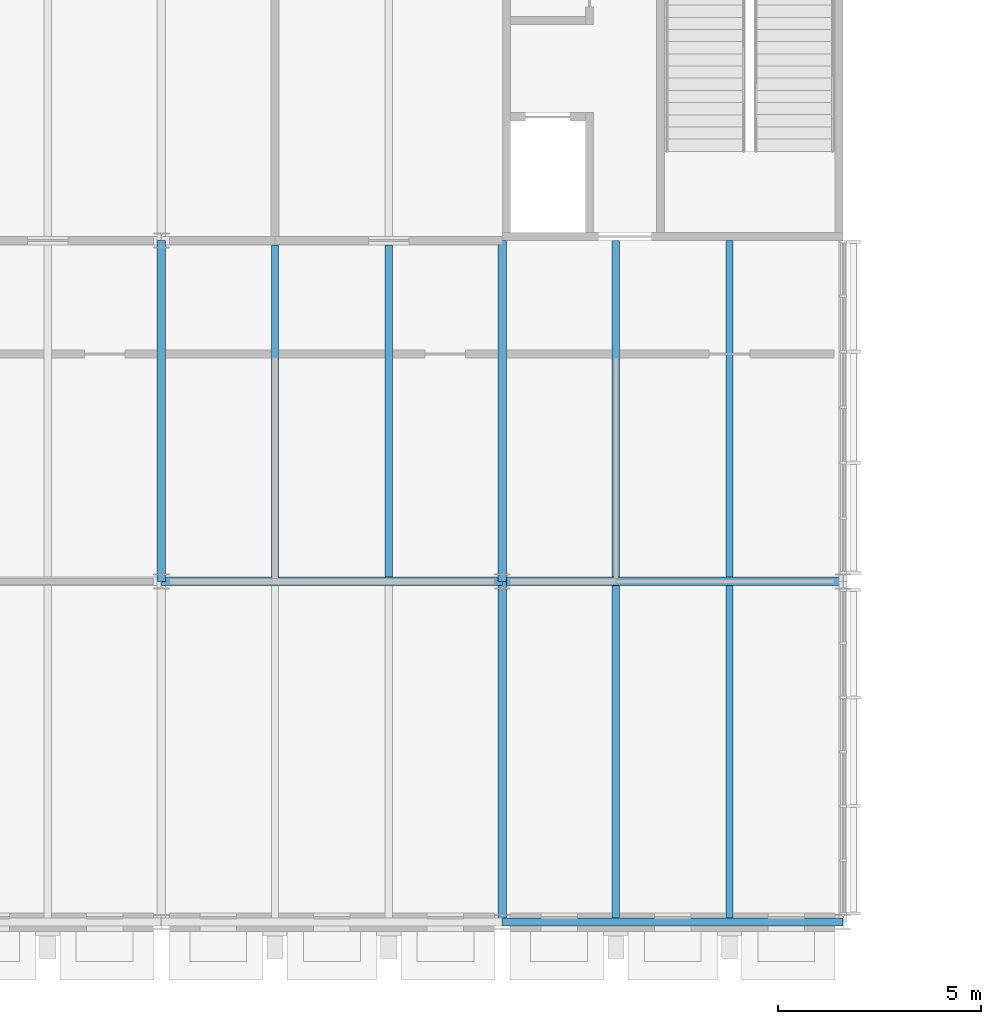
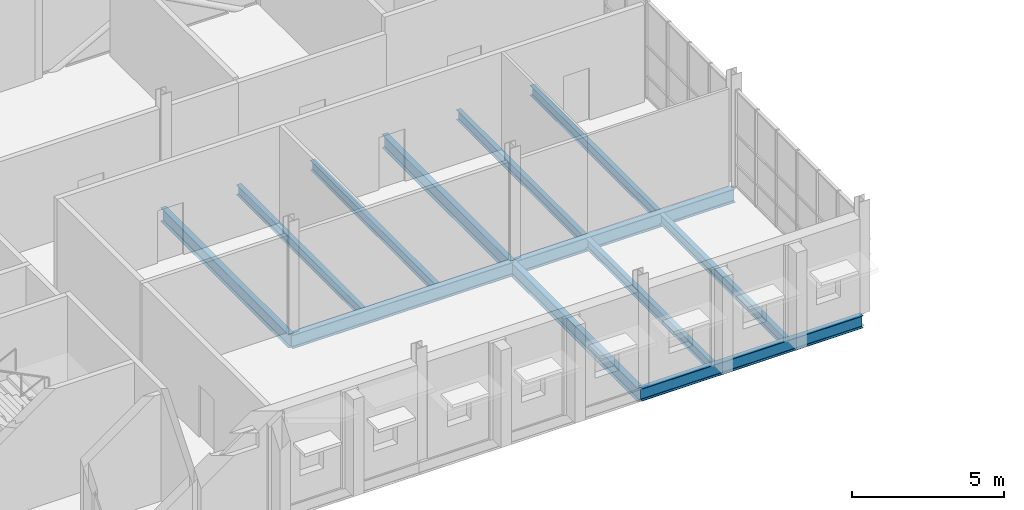
# One storey, part 4 of 22: 12 beams.
"""IFC4 building model written with IfcOpenShell, lengths in metres."""

from ifc_helpers import new_model, si_unit, direction, frame, origin, origin_2d, place, context, subcontext, project, spatial, i_section, extrude, material, material_profile, profile_set, type_object, element, save


model = new_model("IFC4")

# Units and contexts
model_context = context("Model", 3, precision=1e-05, world=origin(), true_north=direction((0.0, 1.0)))
body_context = subcontext(model_context, "Body", "Model", "MODEL_VIEW")
ifc_project = project(units=[si_unit("LENGTHUNIT", "METRE"), si_unit("AREAUNIT", "SQUARE_METRE"), si_unit("VOLUMEUNIT", "CUBIC_METRE"), si_unit("PLANEANGLEUNIT", "RADIAN"), si_unit("MASSUNIT", "GRAM", prefix="KILO")], contexts=[model_context])

# Site, building, storey
site_placement = place(None, origin())
site = spatial("IfcSite", under=ifc_project, at=site_placement, CompositionType="ELEMENT")
building_placement = place(site_placement, origin())
building = spatial("IfcBuilding", under=site, at=building_placement, Name="Ardhachandra Cancer Care Centre", CompositionType="ELEMENT")
storey_placement = place(building_placement, frame((0.0, 0.0, 18.0)))
storey = spatial("IfcBuildingStorey", under=building, at=storey_placement, Name="L04", CompositionType="ELEMENT", Elevation=18.0)

# Beams
ifc_material_1 = material(Name="Steel E350 (IS 2062)", Category="steel")
ifc_material_profile_1 = material_profile(ifc_material_1, i_section(OverallWidth=0.179931640625, OverallDepth=0.39990234375, WebThickness=0.008544921875, FlangeThickness=0.013427734375, FilletRadius=0.02099609375, at=origin_2d()), Name="NPB 400x180x66.30")
ifc_profile_set_1 = profile_set([ifc_material_profile_1], Name="Steel E350 (IS 2062)")
beam_type_1 = type_object("IfcBeamType", Name="Beam NPB 400x180x66.30", PredefinedType="BEAM", material=ifc_profile_set_1)
for number, where, z_axis, x_axis, name in (
    (1, (30.39990234375, 79.905029296875, -0.35009765625), (0.0, 1.0, 0.0), (-1.0, 0.0, 0.0), "Secondary J3-K3@2800"),
    (2, (33.199951171875, 79.905029296875, -0.35009765625), (0.0, 1.0, 0.0), (-1.0, 0.0, 0.0), "Secondary J3-K3@5600"),
):
    element("IfcBeam", number, at=place(storey_placement, frame(where, z_axis=z_axis, x_axis=x_axis)), inside=storey, type_object=beam_type_1, Name=name, PredefinedType="BEAM", context=body_context, shape_type="SweptSolid", body=[
        extrude(i_section(OverallWidth=0.179931640625, OverallDepth=0.39990234375, WebThickness=0.008544921875, FlangeThickness=0.013427734375, FilletRadius=0.02099609375, at=origin_2d()), origin(), (0.0, 0.0, 1.0), 8.18994140625),
    ])
beam_1_placement = place(storey_placement, frame((38.800048828125, 71.5, -0.35009765625), z_axis=(0.0, 1.0, 0.0), x_axis=(-1.0, 0.0, 0.0)))
element("IfcBeam", 3, at=beam_1_placement, inside=storey, type_object=beam_type_1, Name="Secondary H4-J4@2800", PredefinedType="BEAM", context=body_context, shape_type="SweptSolid", body=[
    extrude(i_section(OverallWidth=0.179931640625, OverallDepth=0.39990234375, WebThickness=0.008544921875, FlangeThickness=0.013427734375, FilletRadius=0.02099609375, at=origin_2d()), origin(), (0.0, 0.0, 1.0), 8.195068359375),
])
beam_2_placement = place(storey_placement, frame((38.800048828125, 79.905029296875, -0.35009765625), z_axis=(0.0, 1.0, 0.0), x_axis=(-1.0, 0.0, 0.0)))
element("IfcBeam", 4, at=beam_2_placement, inside=storey, type_object=beam_type_1, Name="Secondary J4-K4@2800", PredefinedType="BEAM", context=body_context, shape_type="SweptSolid", body=[
    extrude(i_section(OverallWidth=0.179931640625, OverallDepth=0.39990234375, WebThickness=0.008544921875, FlangeThickness=0.013427734375, FilletRadius=0.02099609375, at=origin_2d()), origin(), (0.0, 0.0, 1.0), 8.294921875),
])
beam_3_placement = place(storey_placement, frame((41.60009765625, 71.5, -0.35009765625), z_axis=(0.0, 1.0, 0.0), x_axis=(-1.0, 0.0, 0.0)))
element("IfcBeam", 5, at=beam_3_placement, inside=storey, type_object=beam_type_1, Name="Secondary H4-J4@5600", PredefinedType="BEAM", context=body_context, shape_type="SweptSolid", body=[
    extrude(i_section(OverallWidth=0.179931640625, OverallDepth=0.39990234375, WebThickness=0.008544921875, FlangeThickness=0.013427734375, FilletRadius=0.02099609375, at=origin_2d()), origin(), (0.0, 0.0, 1.0), 8.195068359375),
])
beam_4_placement = place(storey_placement, frame((41.60009765625, 79.905029296875, -0.35009765625), z_axis=(0.0, 1.0, 0.0), x_axis=(-1.0, 0.0, 0.0)))
element("IfcBeam", 6, at=beam_4_placement, inside=storey, type_object=beam_type_1, Name="Secondary J4-K4@5600", PredefinedType="BEAM", context=body_context, shape_type="SweptSolid", body=[
    extrude(i_section(OverallWidth=0.179931640625, OverallDepth=0.39990234375, WebThickness=0.008544921875, FlangeThickness=0.013427734375, FilletRadius=0.02099609375, at=origin_2d()), origin(), (0.0, 0.0, 1.0), 8.294921875),
])
ifc_material_2 = material(Name="Steel E350 (IS 2062)", Category="steel")
ifc_material_profile_2 = material_profile(ifc_material_2, i_section(OverallWidth=0.199951171875, OverallDepth=0.5, WebThickness=0.01025390625, FlangeThickness=0.01611328125, FilletRadius=0.02099609375, at=origin_2d()), Name="NPB 500x200x90.68")
ifc_profile_set_2 = profile_set([ifc_material_profile_2], Name="Steel E350 (IS 2062)")
beam_type_2 = type_object("IfcBeamType", Name="Beam NPB 500x200x90.68", PredefinedType="BEAM", material=ifc_profile_set_2)
beam_5_placement = place(storey_placement, frame((36.0, 71.39990234375, -0.39990234375), z_axis=(1.0, 0.0, 0.0), x_axis=(0.0, 1.0, 0.0)))
element("IfcBeam", 7, at=beam_5_placement, inside=storey, type_object=beam_type_2, Name="Edge girder H4-H5", PredefinedType="BEAM", context=body_context, shape_type="SweptSolid", body=[
    extrude(i_section(OverallWidth=0.199951171875, OverallDepth=0.5, WebThickness=0.01025390625, FlangeThickness=0.01611328125, FilletRadius=0.02099609375, at=origin_2d()), origin(), (0.0, 0.0, 1.0), 8.39990234375),
])
ifc_material_3 = material(Name="Steel E350 (IS 2062)", Category="steel")
ifc_material_profile_3 = material_profile(ifc_material_3, i_section(OverallWidth=0.2099609375, OverallDepth=0.550048828125, WebThickness=0.010986328125, FlangeThickness=0.01708984375, FilletRadius=0.02392578125, at=origin_2d()), Name="NPB 550x210x105.52")
ifc_profile_set_3 = profile_set([ifc_material_profile_3], Name="Steel E350 (IS 2062)")
beam_type_3 = type_object("IfcBeamType", Name="Beam NPB 550x210x105.52", PredefinedType="BEAM", material=ifc_profile_set_3)
for number, where, z_axis, x_axis, name in (
    (8, (27.60009765625, 79.800048828125, -0.425048828125), (1.0, 0.0, 0.0), (0.0, 1.0, 0.0), "Girder J3-J4"),
    (9, (36.0, 79.800048828125, -0.425048828125), (1.0, 0.0, 0.0), (0.0, 1.0, 0.0), "Girder J4-J5"),
    (10, (27.60009765625, 79.800048828125, -0.425048828125), (0.0, 1.0, 0.0), (-1.0, 0.0, 0.0), "Girder J3-K3"),
):
    element("IfcBeam", number, at=place(storey_placement, frame(where, z_axis=z_axis, x_axis=x_axis)), inside=storey, type_object=beam_type_3, Name=name, PredefinedType="BEAM", context=body_context, shape_type="SweptSolid", body=[
        extrude(i_section(OverallWidth=0.2099609375, OverallDepth=0.550048828125, WebThickness=0.010986328125, FlangeThickness=0.01708984375, FilletRadius=0.02392578125, at=origin_2d()), origin(), (0.0, 0.0, 1.0), 8.39990234375),
    ])
beam_6_placement = place(storey_placement, frame((36.0, 71.39990234375, -0.425048828125), z_axis=(0.0, 1.0, 0.0), x_axis=(-1.0, 0.0, 0.0)))
element("IfcBeam", 11, at=beam_6_placement, inside=storey, type_object=beam_type_3, Name="Girder H4-J4", PredefinedType="BEAM", context=body_context, shape_type="SweptSolid", body=[
    extrude(i_section(OverallWidth=0.2099609375, OverallDepth=0.550048828125, WebThickness=0.010986328125, FlangeThickness=0.01708984375, FilletRadius=0.02392578125, at=origin_2d()), origin(), (0.0, 0.0, 1.0), 8.400146484375),
])
beam_7_placement = place(storey_placement, frame((36.0, 79.800048828125, -0.425048828125), z_axis=(0.0, 1.0, 0.0), x_axis=(-1.0, 0.0, 0.0)))
element("IfcBeam", 12, at=beam_7_placement, inside=storey, type_object=beam_type_3, Name="Girder J4-K4", PredefinedType="BEAM", context=body_context, shape_type="SweptSolid", body=[
    extrude(i_section(OverallWidth=0.2099609375, OverallDepth=0.550048828125, WebThickness=0.010986328125, FlangeThickness=0.01708984375, FilletRadius=0.02392578125, at=origin_2d()), origin(), (0.0, 0.0, 1.0), 8.39990234375),
])

save(model, "model.ifc")
